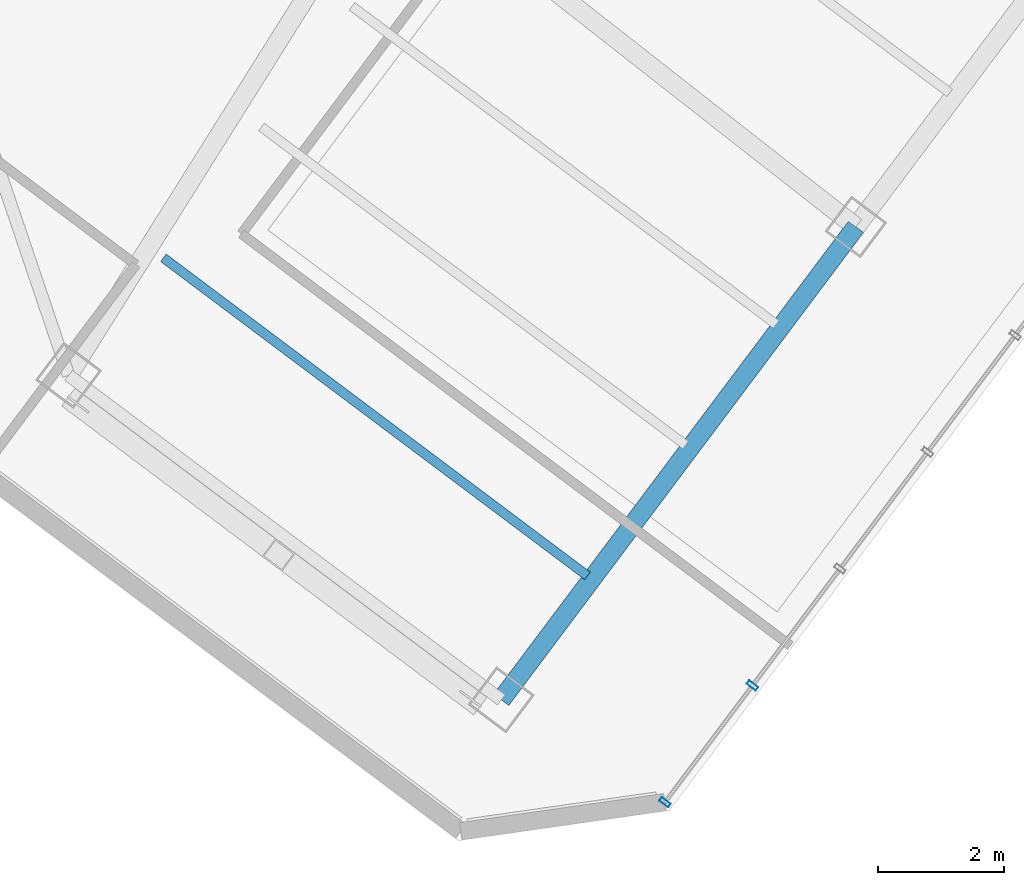
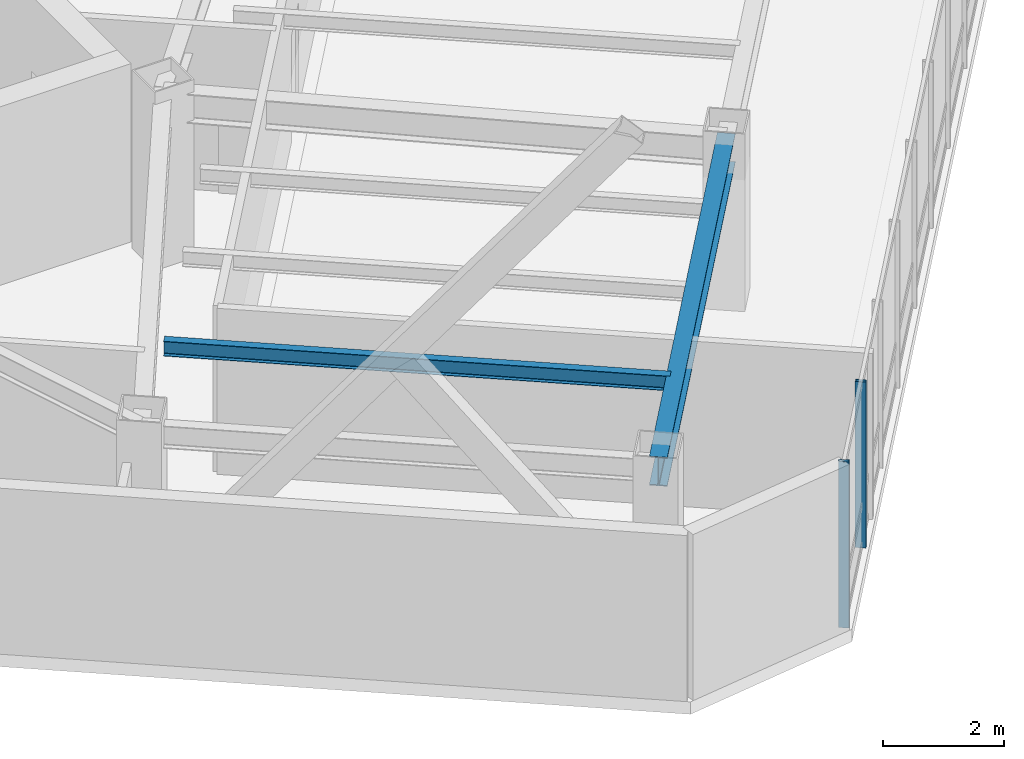
# One storey, part 2 of 24: 2 beams, 2 members, 1 element without a shape of its own.
"""IFC4 building model written with IfcOpenShell, lengths in metres."""

from ifc_helpers import new_model, si_unit, direction, frame, origin, origin_2d, place, context, subcontext, project, spatial, hollow_rectangle, i_section, extrude, material, layer, layer_set, material_profile, profile_set, type_object, element, aggregate, save


model = new_model("IFC4")

# Units and contexts
model_context = context("Model", 3, precision=1e-05, world=origin(), true_north=direction((0.0, 1.0)))
body_context = subcontext(model_context, "Body", "Model", "MODEL_VIEW")
ifc_project = project(units=[si_unit("LENGTHUNIT", "METRE"), si_unit("AREAUNIT", "SQUARE_METRE"), si_unit("VOLUMEUNIT", "CUBIC_METRE"), si_unit("PLANEANGLEUNIT", "RADIAN"), si_unit("MASSUNIT", "GRAM", prefix="KILO")], contexts=[model_context])

# Site, building, storey
site_placement = place(None, origin())
site = spatial("IfcSite", under=ifc_project, at=site_placement, CompositionType="ELEMENT")
building_placement = place(site_placement, origin())
building = spatial("IfcBuilding", under=site, at=building_placement, Name="Hatsunagi Terrace Concourse", CompositionType="ELEMENT")
storey_placement = place(building_placement, frame((0.0, 0.0, 191.550048828125)))
storey = spatial("IfcBuildingStorey", under=building, at=storey_placement, Name="L50", CompositionType="ELEMENT", Elevation=191.550048828125)

# Curtain wall, members
ifc_material_1 = material(Name="Anodised Aluminium Alloy 6063-T5", Category="aluminium")
ifc_layer = layer(ifc_material_1, 0.199951171875)
ifc_layer_set = layer_set([ifc_layer], Name="OfficeZone2_CW04")
curtain_wall_type = type_object("IfcCurtainWallType", Name="OfficeZone2_CW04", PredefinedType="NOTDEFINED", material=ifc_layer_set)
curtain_wall_placement = place(storey_placement, origin())
curtain_wall = element("IfcCurtainWall", 1, at=curtain_wall_placement, inside=storey, type_object=curtain_wall_type, Name="Unitised Curtain Wall CW-04 CW-L50-03", PredefinedType="NOTDEFINED")
ifc_material_2 = material(Name="Anodised Aluminium Alloy 6063-T5", Category="aluminium")
ifc_material_profile_1 = material_profile(ifc_material_2, hollow_rectangle(XDim=0.070068359375, YDim=0.179931640625, WallThickness=0.00390625, at=origin_2d()), Name="ALU-MUL-180x70x4")
ifc_profile_set_1 = profile_set([ifc_material_profile_1], Name="Anodised Aluminium Alloy 6063-T5")
member_type = type_object("IfcMemberType", Name="CurtainWallMullion_180x70", PredefinedType="MULLION", material=ifc_profile_set_1)
member_1_placement = place(storey_placement, frame((49.554931640625, 11.10595703125, 0.0), z_axis=(0.0, 0.0, 1.0), x_axis=(-0.599969314634, -0.800023013105, 0.0)))
member_1 = element("IfcMember", 2, at=member_1_placement, type_object=member_type, Name="Curtain Wall Mullion MUL-02", PredefinedType="MULLION", context=body_context, shape_type="SweptSolid", body=[
    extrude(hollow_rectangle(XDim=0.070068359375, YDim=0.179931640625, WallThickness=0.00390625, at=origin_2d()), origin(), (0.0, 0.0, 1.0), 3.349853515625),
])
member_2_placement = place(storey_placement, frame((48.1630859375, 9.25, 0.0), z_axis=(0.0, 0.0, 1.0), x_axis=(-0.599969314634, -0.800023013105, 0.0)))
member_2 = element("IfcMember", 3, at=member_2_placement, type_object=member_type, Name="Curtain Wall Mullion MUL-02", PredefinedType="MULLION", context=body_context, shape_type="SweptSolid", body=[
    extrude(hollow_rectangle(XDim=0.070068359375, YDim=0.179931640625, WallThickness=0.00390625, at=origin_2d()), origin(), (0.0, 0.0, 1.0), 3.349853515625),
])
aggregate(curtain_wall, [member_1, member_2])

# Beams
ifc_material_3 = material(Name="Steel SN490B", Category="steel")
ifc_material_profile_2 = material_profile(ifc_material_3, i_section(OverallWidth=0.300048828125, OverallDepth=0.587890625, WebThickness=0.011962890625, FlangeThickness=0.02001953125, FilletRadius=0.01806640625, at=origin_2d()), Name="H-588x300x12x20")
ifc_profile_set_2 = profile_set([ifc_material_profile_2], Name="Steel SN490B")
beam_type_1 = type_object("IfcBeamType", Name="OfficeHighGirder_H_588x300", PredefinedType="BEAM", material=ifc_profile_set_2)
beam_1_placement = place(storey_placement, frame((45.56005859375, 10.8798828125, 3.055908203125), z_axis=(0.599991688754, 0.800006233367, 0.0), x_axis=(-0.800006233367, 0.599991688754, 0.0)))
element("IfcBeam", 4, at=beam_1_placement, inside=storey, type_object=beam_type_1, Name="Beam G-06 BM-L50-SET-2A", PredefinedType="BEAM", context=body_context, shape_type="SweptSolid", body=[
    extrude(i_section(OverallWidth=0.300048828125, OverallDepth=0.587890625, WebThickness=0.011962890625, FlangeThickness=0.02001953125, FilletRadius=0.01806640625, at=origin_2d()), origin(), (0.0, 0.0, 1.0), 9.39990234375),
])
ifc_material_4 = material(Name="Steel SN490B", Category="steel")
ifc_material_profile_3 = material_profile(ifc_material_4, i_section(OverallWidth=0.14990234375, OverallDepth=0.300048828125, WebThickness=0.006591796875, FlangeThickness=0.009033203125, FilletRadius=0.010986328125, at=origin_2d()), Name="H-300x150x6.5x9")
ifc_profile_set_3 = profile_set([ifc_material_profile_3], Name="Steel SN490B")
beam_type_2 = type_object("IfcBeamType", Name="OfficeJoist_H_300x150", PredefinedType="JOIST", material=ifc_profile_set_3)
beam_2_placement = place(storey_placement, frame((40.18798828125, 17.908935546875, 3.199951171875), z_axis=(0.800003475366, -0.59999536615, 0.0), x_axis=(0.59999536615, 0.800003475366, 0.0)))
element("IfcBeam", 5, at=beam_2_placement, inside=storey, type_object=beam_type_2, Name="Beam J-03 J-L50-SE-2-46", PredefinedType="JOIST", context=body_context, shape_type="SweptSolid", body=[
    extrude(i_section(OverallWidth=0.14990234375, OverallDepth=0.300048828125, WebThickness=0.006591796875, FlangeThickness=0.009033203125, FilletRadius=0.010986328125, at=origin_2d()), origin(), (0.0, 0.0, 1.0), 8.429931640625),
])

save(model, "model.ifc")
